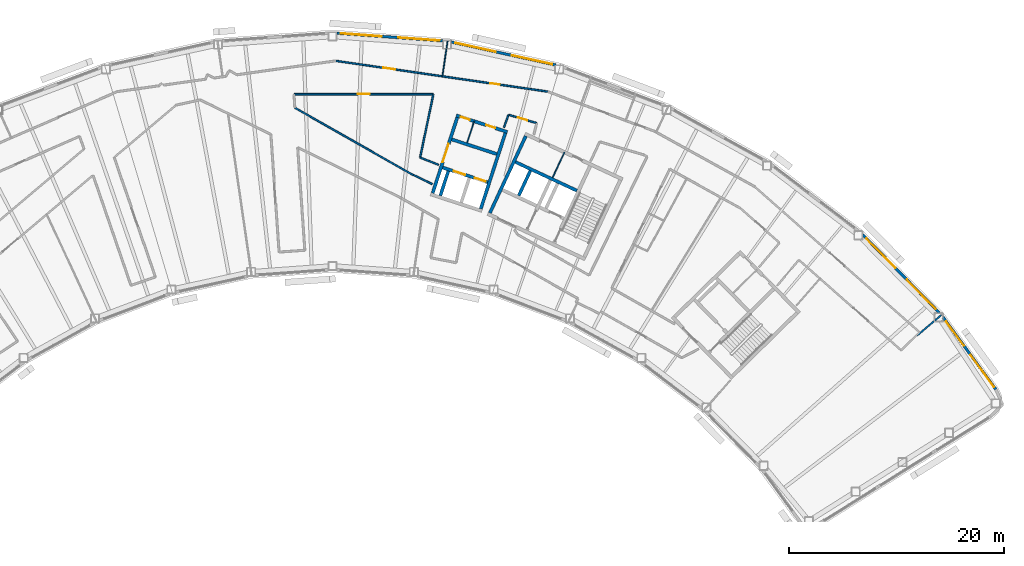
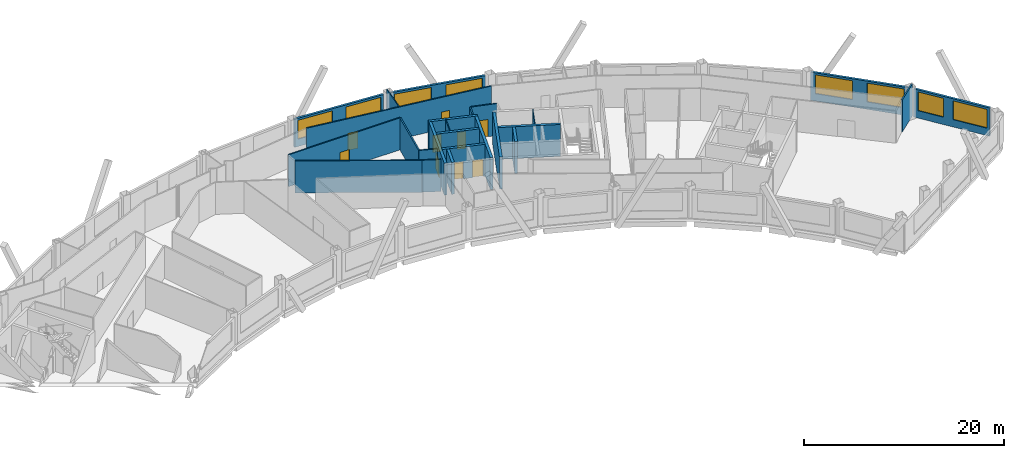
# One storey, part 10 of 14: 25 walls, 9 doors, 8 windows, 17 openings.
"""IFC4 building model written with IfcOpenShell, lengths in metres."""

from ifc_helpers import new_model, si_unit, direction, frame, frame_2d, origin, place, context, subcontext, project, spatial, rectangle, extrude, material, layer, layer_set, type_object, element, fill, save


model = new_model("IFC4")

# Units and contexts
model_context = context("Model", 3, precision=1e-05, world=origin(), true_north=direction((0.0, 1.0)))
body_context = subcontext(model_context, "Body", "Model", "MODEL_VIEW")
ifc_project = project(units=[si_unit("LENGTHUNIT", "METRE"), si_unit("AREAUNIT", "SQUARE_METRE"), si_unit("VOLUMEUNIT", "CUBIC_METRE"), si_unit("PLANEANGLEUNIT", "RADIAN"), si_unit("MASSUNIT", "GRAM", prefix="KILO")], contexts=[model_context])

# Site, building, storey
site_placement = place(None, origin())
site = spatial("IfcSite", under=ifc_project, at=site_placement, CompositionType="ELEMENT")
building_placement = place(site_placement, origin())
building = spatial("IfcBuilding", under=site, at=building_placement, Name="Tuul Gate Civic Tower", CompositionType="ELEMENT")
storey_placement = place(building_placement, frame((0.0, 0.0, 256.800048828125)))
storey = spatial("IfcBuildingStorey", under=building, at=storey_placement, Name="Level 58", CompositionType="ELEMENT", Elevation=256.800048828125)

# Walls
ifc_material_1 = material(Name="Concrete C50/60", Category="concrete")
ifc_layer_1 = layer(ifc_material_1, 0.300048828125)
ifc_layer_set_1 = layer_set([ifc_layer_1], Name="Concrete C50/60")
wall_type_1 = type_object("IfcWallType", Name="Core wall C50/60", PredefinedType="SHEAR", material=ifc_layer_set_1)
wall_1_placement = place(storey_placement, frame((33.75, -0.873779296875, 0.0), z_axis=(0.0, 0.0, 1.0), x_axis=(-0.906300917592, 0.422632992999, 0.0)))
element("IfcWall", 1, at=wall_1_placement, inside=storey, type_object=wall_type_1, Name="Core wall", PredefinedType="SHEAR", context=body_context, shape_type="SweptSolid", body=[
    extrude(rectangle(XDim=6.300048828125, YDim=0.300048828125, at=frame_2d((3.14990234375, 0.0))), origin(), (0.0, 0.0, 1.0), 3.89990234375),
])
wall_2_placement = place(storey_placement, frame((28.349365234375, -1.33447265625, 0.0), z_axis=(0.0, 0.0, 1.0), x_axis=(0.422612891016, 0.906310291427, 0.0)))
element("IfcWall", 2, at=wall_2_placement, inside=storey, type_object=wall_type_1, Name="Core wall", PredefinedType="SHEAR", context=body_context, shape_type="SweptSolid", body=[
    extrude(rectangle(XDim=2.550048828125, YDim=0.300048828125, at=frame_2d((1.27490234375, 0.0))), origin(), (0.0, 0.0, 1.0), 3.89990234375),
])
wall_3_placement = place(storey_placement, frame((25.66455078125, -2.951416015625, 0.0), z_axis=(0.0, 0.0, 1.0), x_axis=(0.422582604137, 0.906324413596, 0.0)))
element("IfcWall", 3, at=wall_3_placement, inside=storey, type_object=wall_type_1, Name="Core wall", PredefinedType="SHEAR", context=body_context, shape_type="SweptSolid", body=[
    extrude(rectangle(XDim=7.89990234375, YDim=0.300048828125, at=frame_2d((3.949951171875, 0.0))), origin(), (0.0, 0.0, 1.0), 3.89990234375),
])
ifc_material_2 = material(Name="Gypsum board partition")
ifc_layer_2 = layer(ifc_material_2, 0.14990234375)
ifc_layer_set_2 = layer_set([ifc_layer_2], Name="Gypsum board partition")
wall_type_2 = type_object("IfcWallType", Name="Corridor wall P150", PredefinedType="PARTITIONING", material=ifc_layer_set_2)
wall_4_placement = place(storey_placement, frame((65.37451171875, -14.36083984375, 0.0), z_axis=(0.0, 0.0, 1.0), x_axis=(0.762853274711, 0.646571636605, 0.0)))
element("IfcWall", 4, at=wall_4_placement, inside=storey, type_object=wall_type_2, Name="p004", PredefinedType="PARTITIONING", context=body_context, shape_type="SweptSolid", body=[
    extrude(rectangle(XDim=2.98974609375, YDim=0.14990234375, at=frame_2d((1.494873046875, 0.0))), origin(), (0.0, 0.0, 1.0), 3.89990234375),
])

# Wall, openings, doors
wall_5_placement = place(storey_placement, frame((11.341064453125, 11.19580078125, 0.0), z_axis=(0.0, 0.0, 1.0), x_axis=(0.989615961435, -0.143736734602, 0.0)))
wall_5 = element("IfcWall", 5, at=wall_5_placement, inside=storey, type_object=wall_type_2, Name="p014", PredefinedType="PARTITIONING", context=body_context, shape_type="SweptSolid", body=[
    extrude(rectangle(XDim=19.92529296875, YDim=0.14990234375, at=frame_2d((9.962646484375, 0.0))), origin(), (0.0, 0.0, 1.0), 3.89990234375),
])
opening_1_placement = place(wall_5_placement, frame((14.52001953125, 0.0, 0.0)))
opening_1 = element("IfcOpeningElement", 6, at=opening_1_placement, cuts=wall_5, Name="Opening V-D03", PredefinedType="OPENING", context=body_context, shape_type="SweptSolid", body=[
    extrude(rectangle(XDim=0.89990234375, YDim=2.10009765625, at=frame_2d((0.449951171875, 1.050048828125))), frame((0.0, 0.0849609375, 0.0), z_axis=(0.0, -1.0, 0.0), x_axis=(1.0, 0.0, 0.0)), (0.0, 0.0, 1.0), 0.169921875),
])
opening_2_placement = place(wall_5_placement, frame((4.457275390625, 0.0, 0.0)))
opening_2 = element("IfcOpeningElement", 7, at=opening_2_placement, cuts=wall_5, Name="Opening V-D04", PredefinedType="OPENING", context=body_context, shape_type="SweptSolid", body=[
    extrude(rectangle(XDim=1.10009765625, YDim=2.10009765625, at=frame_2d((0.550048828125, 1.050048828125))), frame((0.0, 0.0849609375, 0.0), z_axis=(0.0, -1.0, 0.0), x_axis=(1.0, 0.0, 0.0)), (0.0, 0.0, 1.0), 0.169921875),
])
ifc_material_3 = material(Name="Timber door leaf", Category="wood")
door_type_1 = type_object("IfcDoorType", Name="Door D09", OperationType="NOTDEFINED", PredefinedType="DOOR", material=ifc_material_3)
door_1_placement = place(opening_1_placement, origin())
door_1 = element("IfcDoor", 8, at=door_1_placement, inside=storey, type_object=door_type_1, Name="Door V-D03", OperationType="SINGLE_SWING_RIGHT", OverallHeight=2.10009765625, OverallWidth=0.89990234375, PredefinedType="DOOR", context=body_context, shape_type="SweptSolid", body=[
    extrude(rectangle(XDim=0.89990234375, YDim=2.10009765625, at=frame_2d((0.449951171875, 1.050048828125))), frame((0.0, 0.02490234375, 0.0), z_axis=(0.0, -1.0, 0.0), x_axis=(1.0, 0.0, 0.0)), (0.0, 0.0, 1.0), 0.050048828125),
])
fill(opening_1, door_1)
ifc_material_4 = material(Name="Timber door leaf", Category="wood")
door_type_2 = type_object("IfcDoorType", Name="Door D11", OperationType="NOTDEFINED", PredefinedType="DOOR", material=ifc_material_4)
door_2_placement = place(opening_2_placement, origin())
door_2 = element("IfcDoor", 9, at=door_2_placement, inside=storey, type_object=door_type_2, Name="Door V-D04", OperationType="SINGLE_SWING_RIGHT", OverallHeight=2.10009765625, OverallWidth=1.10009765625, PredefinedType="DOOR", context=body_context, shape_type="SweptSolid", body=[
    extrude(rectangle(XDim=1.10009765625, YDim=2.10009765625, at=frame_2d((0.550048828125, 1.050048828125))), frame((0.0, 0.02490234375, 0.0), z_axis=(0.0, -1.0, 0.0), x_axis=(1.0, 0.0, 0.0)), (0.0, 0.0, 1.0), 0.050048828125),
])
fill(opening_2, door_2)

# Walls
wall_6_placement = place(storey_placement, frame((7.5400390625, 6.827880859375, 0.0), z_axis=(0.0, 0.0, 1.0), x_axis=(0.869039882895, -0.494742035749, 0.0)))
element("IfcWall", 10, at=wall_6_placement, inside=storey, type_object=wall_type_2, Name="p022", PredefinedType="PARTITIONING", context=body_context, shape_type="SweptSolid", body=[
    extrude(rectangle(XDim=12.6728515625, YDim=0.14990234375, at=frame_2d((6.33642578125, 0.0))), origin(), (0.0, 0.0, 1.0), 3.89990234375),
])
wall_7_placement = place(storey_placement, frame((18.566162109375, 0.58154296875, 0.0), z_axis=(0.0, 0.0, 1.0), x_axis=(0.899119721773, -0.437702782625, 0.0)))
element("IfcWall", 11, at=wall_7_placement, inside=storey, type_object=wall_type_2, Name="p029", PredefinedType="PARTITIONING", context=body_context, shape_type="SweptSolid", body=[
    extrude(rectangle(XDim=1.935546875, YDim=0.14990234375, at=frame_2d((0.9677734375, 0.0))), origin(), (0.0, 0.0, 1.0), 3.89990234375),
])
wall_8_placement = place(storey_placement, frame((26.982421875, 4.993896484375, 0.0), z_axis=(0.0, 0.0, 1.0), x_axis=(0.321299495515, 0.9469776313, 0.0)))
element("IfcWall", 12, at=wall_8_placement, inside=storey, type_object=wall_type_2, Name="p082", PredefinedType="PARTITIONING", context=body_context, shape_type="SweptSolid", body=[
    extrude(rectangle(XDim=1.24072265625, YDim=0.14990234375, at=frame_2d((0.620361328125, 0.0))), origin(), (0.0, 0.0, 1.0), 3.89990234375),
])

# Wall, opening, door
wall_9_placement = place(storey_placement, frame((27.40576171875, 6.181640625, 0.0), z_axis=(0.0, 0.0, 1.0), x_axis=(0.958790837754, -0.284112881508, 0.0)))
wall_9 = element("IfcWall", 13, at=wall_9_placement, inside=storey, type_object=wall_type_2, Name="p083", PredefinedType="PARTITIONING", context=body_context, shape_type="SweptSolid", body=[
    extrude(rectangle(XDim=2.70849609375, YDim=0.14990234375, at=frame_2d((1.354248046875, 0.0))), origin(), (0.0, 0.0, 1.0), 3.89990234375),
])
opening_3_placement = place(wall_9_placement, frame((0.904296875, 0.0, 0.0)))
opening_3 = element("IfcOpeningElement", 14, at=opening_3_placement, cuts=wall_9, Name="Opening V-D16", PredefinedType="OPENING", context=body_context, shape_type="SweptSolid", body=[
    extrude(rectangle(XDim=0.89990234375, YDim=2.10009765625, at=frame_2d((0.449951171875, 1.050048828125))), frame((0.0, 0.0849609375, 0.0), z_axis=(0.0, -1.0, 0.0), x_axis=(1.0, 0.0, 0.0)), (0.0, 0.0, 1.0), 0.169921875),
])
door_3_placement = place(opening_3_placement, frame((0.89990234375, 0.0, 0.0), z_axis=(0.0, 0.0, 1.0), x_axis=(-1.0, 0.0, 0.0)))
door_3 = element("IfcDoor", 15, at=door_3_placement, inside=storey, type_object=door_type_1, Name="Door V-D16", OperationType="SINGLE_SWING_LEFT", OverallHeight=2.10009765625, OverallWidth=0.89990234375, PredefinedType="DOOR", context=body_context, shape_type="SweptSolid", body=[
    extrude(rectangle(XDim=0.89990234375, YDim=2.10009765625, at=frame_2d((0.449951171875, 1.050048828125))), frame((0.0, 0.02490234375, 0.0), z_axis=(0.0, -1.0, 0.0), x_axis=(1.0, 0.0, 0.0)), (0.0, 0.0, 1.0), 0.050048828125),
])
fill(opening_3, door_3)

wall_10_placement = place(storey_placement, frame((7.464111328125, 8.092529296875, 0.0), z_axis=(0.0, 0.0, 1.0), x_axis=(0.999999999286, 3.7795752e-05, 0.0)))
wall_10 = element("IfcWall", 16, at=wall_10_placement, inside=storey, type_object=wall_type_2, Name="p095", PredefinedType="PARTITIONING", context=body_context, shape_type="SweptSolid", body=[
    extrude(rectangle(XDim=12.9189453125, YDim=0.14990234375, at=frame_2d((6.45947265625, 0.0))), origin(), (0.0, 0.0, 1.0), 3.89990234375),
])
opening_4_placement = place(wall_10_placement, frame((5.909423828125, 0.0, 0.0)))
opening_4 = element("IfcOpeningElement", 17, at=opening_4_placement, cuts=wall_10, Name="Opening V-D21", PredefinedType="OPENING", context=body_context, shape_type="SweptSolid", body=[
    extrude(rectangle(XDim=1.10009765625, YDim=2.10009765625, at=frame_2d((0.550048828125, 1.050048828125))), frame((0.0, 0.0849609375, 0.0), z_axis=(0.0, -1.0, 0.0), x_axis=(1.0, 0.0, 0.0)), (0.0, 0.0, 1.0), 0.169921875),
])
door_4_placement = place(opening_4_placement, frame((1.10009765625, 0.0, 0.0), z_axis=(0.0, 0.0, 1.0), x_axis=(-1.0, 0.0, 0.0)))
door_4 = element("IfcDoor", 18, at=door_4_placement, inside=storey, type_object=door_type_2, Name="Door V-D21", OperationType="SINGLE_SWING_LEFT", OverallHeight=2.10009765625, OverallWidth=1.10009765625, PredefinedType="DOOR", context=body_context, shape_type="SweptSolid", body=[
    extrude(rectangle(XDim=1.10009765625, YDim=2.10009765625, at=frame_2d((0.550048828125, 1.050048828125))), frame((0.0, 0.02490234375, 0.0), z_axis=(0.0, -1.0, 0.0), x_axis=(1.0, 0.0, 0.0)), (0.0, 0.0, 1.0), 0.050048828125),
])
fill(opening_4, door_4)

# Walls
wall_11_placement = place(storey_placement, frame((19.179443359375, 2.2119140625, 0.0), z_axis=(0.0, 0.0, 1.0), x_axis=(0.204426766244, 0.978881860718, 0.0)))
element("IfcWall", 19, at=wall_11_placement, inside=storey, type_object=wall_type_2, Name="p096", PredefinedType="PARTITIONING", context=body_context, shape_type="SweptSolid", body=[
    extrude(rectangle(XDim=5.9833984375, YDim=0.14990234375, at=frame_2d((2.99169921875, 0.0))), origin(), (0.0, 0.0, 1.0), 3.89990234375),
])
wall_12_placement = place(storey_placement, frame((19.179931640625, 2.211181640625, 0.0), z_axis=(0.0, 0.0, 1.0), x_axis=(0.928632455331, -0.371001028175, 0.0)))
element("IfcWall", 20, at=wall_12_placement, inside=storey, type_object=wall_type_2, Name="p097", PredefinedType="PARTITIONING", context=body_context, shape_type="SweptSolid", body=[
    extrude(rectangle(XDim=1.836669921875, YDim=0.14990234375, at=frame_2d((0.91845703125, 0.0))), origin(), (0.0, 0.0, 1.0), 3.89990234375),
])

# Wall, openings, windows
ifc_material_5 = material(Name="Precast concrete C40/50", Category="concrete")
ifc_layer_3 = layer(ifc_material_5, 0.25)
ifc_layer_set_3 = layer_set([ifc_layer_3], Name="Precast concrete C40/50")
wall_type_3 = type_object("IfcWallType", Name="External wall", PredefinedType="STANDARD", material=ifc_layer_set_3)
wall_13_placement = place(storey_placement, frame((72.719970703125, -19.37060546875, 0.0), z_axis=(0.0, 0.0, 1.0), x_axis=(-0.589821256366, 0.807533829346, 0.0)))
wall_13 = element("IfcWall", 21, at=wall_13_placement, inside=storey, type_object=wall_type_3, Name="External wall", PredefinedType="STANDARD", context=body_context, shape_type="SweptSolid", body=[
    extrude(rectangle(XDim=8.33642578125, YDim=0.25, at=frame_2d((4.168212890625, 0.0))), origin(), (0.0, 0.0, 1.0), 3.449951171875),
])
opening_5_placement = place(wall_13_placement, frame((0.30078125, 0.0, 0.89990234375)))
opening_5 = element("IfcOpeningElement", 22, at=opening_5_placement, cuts=wall_13, Name="Opening W21", PredefinedType="OPENING", context=body_context, shape_type="SweptSolid", body=[
    extrude(rectangle(XDim=3.699951171875, YDim=2.300048828125, at=frame_2d((1.85009765625, 1.14990234375))), frame((0.0, 0.135009765625, 0.0), z_axis=(0.0, -1.0, 0.0), x_axis=(1.0, 0.0, 0.0)), (0.0, 0.0, 1.0), 0.27001953125),
])
opening_6_placement = place(wall_13_placement, frame((5.052001953125, 0.0, 0.89990234375)))
opening_6 = element("IfcOpeningElement", 23, at=opening_6_placement, cuts=wall_13, Name="Opening W23", PredefinedType="OPENING", context=body_context, shape_type="SweptSolid", body=[
    extrude(rectangle(XDim=2.800048828125, YDim=2.300048828125, at=frame_2d((1.39990234375, 1.14990234375))), frame((0.0, 0.135009765625, 0.0), z_axis=(0.0, -1.0, 0.0), x_axis=(1.0, 0.0, 0.0)), (0.0, 0.0, 1.0), 0.27001953125),
])
ifc_material_6 = material(Name="Glass", Category="glass")
window_type_1 = type_object("IfcWindowType", Name="Window W21 3700 x 2300", PartitioningType="SINGLE_PANEL", PredefinedType="WINDOW", material=ifc_material_6)
window_1_placement = place(opening_5_placement, origin())
window_1 = element("IfcWindow", 24, at=window_1_placement, inside=storey, type_object=window_type_1, Name="Window", OverallHeight=2.300048828125, OverallWidth=3.699951171875, PartitioningType="SINGLE_PANEL", PredefinedType="WINDOW", context=body_context, shape_type="SweptSolid", body=[
    extrude(rectangle(XDim=3.699951171875, YDim=2.300048828125, at=frame_2d((1.85009765625, 1.14990234375))), frame((0.0, 0.030029296875, 0.0), z_axis=(0.0, -1.0, 0.0), x_axis=(1.0, 0.0, 0.0)), (0.0, 0.0, 1.0), 0.06005859375),
])
fill(opening_5, window_1)
ifc_material_7 = material(Name="Glass", Category="glass")
window_type_2 = type_object("IfcWindowType", Name="Window W23 2800 x 2300", PartitioningType="SINGLE_PANEL", PredefinedType="WINDOW", material=ifc_material_7)
window_2_placement = place(opening_6_placement, origin())
window_2 = element("IfcWindow", 25, at=window_2_placement, inside=storey, type_object=window_type_2, Name="Window", OverallHeight=2.300048828125, OverallWidth=2.800048828125, PartitioningType="SINGLE_PANEL", PredefinedType="WINDOW", context=body_context, shape_type="SweptSolid", body=[
    extrude(rectangle(XDim=2.800048828125, YDim=2.300048828125, at=frame_2d((1.39990234375, 1.14990234375))), frame((0.0, 0.030029296875, 0.0), z_axis=(0.0, -1.0, 0.0), x_axis=(1.0, 0.0, 0.0)), (0.0, 0.0, 1.0), 0.06005859375),
])
fill(opening_6, window_2)

wall_14_placement = place(storey_placement, frame((67.466064453125, -12.241943359375, 0.0), z_axis=(0.0, 0.0, 1.0), x_axis=(-0.700008693155, 0.714134321754, 0.0)))
wall_14 = element("IfcWall", 26, at=wall_14_placement, inside=storey, type_object=wall_type_3, Name="External wall", PredefinedType="STANDARD", context=body_context, shape_type="SweptSolid", body=[
    extrude(rectangle(XDim=10.197265625, YDim=0.25, at=frame_2d((5.0986328125, 0.0))), origin(), (0.0, 0.0, 1.0), 3.449951171875),
])
opening_7_placement = place(wall_14_placement, frame((0.487060546875, 0.0, 0.89990234375)))
opening_7 = element("IfcOpeningElement", 27, at=opening_7_placement, cuts=wall_14, Name="Opening W22", PredefinedType="OPENING", context=body_context, shape_type="SweptSolid", body=[
    extrude(rectangle(XDim=3.85009765625, YDim=2.300048828125, at=frame_2d((1.925048828125, 1.14990234375))), frame((0.0, 0.135009765625, 0.0), z_axis=(0.0, -1.0, 0.0), x_axis=(1.0, 0.0, 0.0)), (0.0, 0.0, 1.0), 0.27001953125),
])
opening_8_placement = place(wall_14_placement, frame((5.8583984375, 0.0, 0.89990234375)))
opening_8 = element("IfcOpeningElement", 28, at=opening_8_placement, cuts=wall_14, Name="Opening W22", PredefinedType="OPENING", context=body_context, shape_type="SweptSolid", body=[
    extrude(rectangle(XDim=3.85009765625, YDim=2.300048828125, at=frame_2d((1.925048828125, 1.14990234375))), frame((0.0, 0.135009765625, 0.0), z_axis=(0.0, -1.0, 0.0), x_axis=(1.0, 0.0, 0.0)), (0.0, 0.0, 1.0), 0.27001953125),
])
ifc_material_8 = material(Name="Glass", Category="glass")
window_type_3 = type_object("IfcWindowType", Name="Window W22 3850 x 2300", PartitioningType="SINGLE_PANEL", PredefinedType="WINDOW", material=ifc_material_8)
window_3_placement = place(opening_7_placement, origin())
window_3 = element("IfcWindow", 29, at=window_3_placement, inside=storey, type_object=window_type_3, Name="Window", OverallHeight=2.300048828125, OverallWidth=3.85009765625, PartitioningType="SINGLE_PANEL", PredefinedType="WINDOW", context=body_context, shape_type="SweptSolid", body=[
    extrude(rectangle(XDim=3.85009765625, YDim=2.300048828125, at=frame_2d((1.925048828125, 1.14990234375))), frame((0.0, 0.030029296875, 0.0), z_axis=(0.0, -1.0, 0.0), x_axis=(1.0, 0.0, 0.0)), (0.0, 0.0, 1.0), 0.06005859375),
])
fill(opening_7, window_3)
window_4_placement = place(opening_8_placement, origin())
window_4 = element("IfcWindow", 30, at=window_4_placement, inside=storey, type_object=window_type_3, Name="Window", OverallHeight=2.300048828125, OverallWidth=3.85009765625, PartitioningType="SINGLE_PANEL", PredefinedType="WINDOW", context=body_context, shape_type="SweptSolid", body=[
    extrude(rectangle(XDim=3.85009765625, YDim=2.300048828125, at=frame_2d((1.925048828125, 1.14990234375))), frame((0.0, 0.030029296875, 0.0), z_axis=(0.0, -1.0, 0.0), x_axis=(1.0, 0.0, 0.0)), (0.0, 0.0, 1.0), 0.06005859375),
])
fill(opening_8, window_4)

wall_15_placement = place(storey_placement, frame((31.80029296875, 10.804931640625, 0.0), z_axis=(0.0, 0.0, 1.0), x_axis=(-0.976562454365, 0.215234227585, 0.0)))
wall_15 = element("IfcWall", 31, at=wall_15_placement, inside=storey, type_object=wall_type_3, Name="External wall", PredefinedType="STANDARD", context=body_context, shape_type="SweptSolid", body=[
    extrude(rectangle(XDim=9.95361328125, YDim=0.25, at=frame_2d((4.976806640625, 0.0))), origin(), (0.0, 0.0, 1.0), 3.449951171875),
])
opening_9_placement = place(wall_15_placement, frame((0.34228515625, 0.0, 0.89990234375)))
opening_9 = element("IfcOpeningElement", 32, at=opening_9_placement, cuts=wall_15, Name="Opening W22", PredefinedType="OPENING", context=body_context, shape_type="SweptSolid", body=[
    extrude(rectangle(XDim=3.85009765625, YDim=2.300048828125, at=frame_2d((1.925048828125, 1.14990234375))), frame((0.0, 0.135009765625, 0.0), z_axis=(0.0, -1.0, 0.0), x_axis=(1.0, 0.0, 0.0)), (0.0, 0.0, 1.0), 0.27001953125),
])
opening_10_placement = place(wall_15_placement, frame((5.713623046875, 0.0, 0.89990234375)))
opening_10 = element("IfcOpeningElement", 33, at=opening_10_placement, cuts=wall_15, Name="Opening W22", PredefinedType="OPENING", context=body_context, shape_type="SweptSolid", body=[
    extrude(rectangle(XDim=3.85009765625, YDim=2.300048828125, at=frame_2d((1.925048828125, 1.14990234375))), frame((0.0, 0.135009765625, 0.0), z_axis=(0.0, -1.0, 0.0), x_axis=(1.0, 0.0, 0.0)), (0.0, 0.0, 1.0), 0.27001953125),
])
window_5_placement = place(opening_9_placement, origin())
window_5 = element("IfcWindow", 34, at=window_5_placement, inside=storey, type_object=window_type_3, Name="Window", OverallHeight=2.300048828125, OverallWidth=3.85009765625, PartitioningType="SINGLE_PANEL", PredefinedType="WINDOW", context=body_context, shape_type="SweptSolid", body=[
    extrude(rectangle(XDim=3.85009765625, YDim=2.300048828125, at=frame_2d((1.925048828125, 1.14990234375))), frame((0.0, 0.030029296875, 0.0), z_axis=(0.0, -1.0, 0.0), x_axis=(1.0, 0.0, 0.0)), (0.0, 0.0, 1.0), 0.06005859375),
])
fill(opening_9, window_5)
window_6_placement = place(opening_10_placement, origin())
window_6 = element("IfcWindow", 35, at=window_6_placement, inside=storey, type_object=window_type_3, Name="Window", OverallHeight=2.300048828125, OverallWidth=3.85009765625, PartitioningType="SINGLE_PANEL", PredefinedType="WINDOW", context=body_context, shape_type="SweptSolid", body=[
    extrude(rectangle(XDim=3.85009765625, YDim=2.300048828125, at=frame_2d((1.925048828125, 1.14990234375))), frame((0.0, 0.030029296875, 0.0), z_axis=(0.0, -1.0, 0.0), x_axis=(1.0, 0.0, 0.0)), (0.0, 0.0, 1.0), 0.06005859375),
])
fill(opening_10, window_6)

wall_16_placement = place(storey_placement, frame((21.280029296875, 13.057373046875, 0.0), z_axis=(0.0, 0.0, 1.0), x_axis=(-0.99738717169, 0.072241468338, 0.0)))
wall_16 = element("IfcWall", 36, at=wall_16_placement, inside=storey, type_object=wall_type_3, Name="External wall", PredefinedType="STANDARD", context=body_context, shape_type="SweptSolid", body=[
    extrude(rectangle(XDim=9.875, YDim=0.25, at=frame_2d((4.9375, 0.0))), origin(), (0.0, 0.0, 1.0), 3.449951171875),
])
opening_11_placement = place(wall_16_placement, frame((0.303466796875, 0.0, 0.89990234375)))
opening_11 = element("IfcOpeningElement", 37, at=opening_11_placement, cuts=wall_16, Name="Opening W22", PredefinedType="OPENING", context=body_context, shape_type="SweptSolid", body=[
    extrude(rectangle(XDim=3.85009765625, YDim=2.300048828125, at=frame_2d((1.925048828125, 1.14990234375))), frame((0.0, 0.135009765625, 0.0), z_axis=(0.0, -1.0, 0.0), x_axis=(1.0, 0.0, 0.0)), (0.0, 0.0, 1.0), 0.27001953125),
])
opening_12_placement = place(wall_16_placement, frame((5.67431640625, 0.0, 0.89990234375)))
opening_12 = element("IfcOpeningElement", 38, at=opening_12_placement, cuts=wall_16, Name="Opening W22", PredefinedType="OPENING", context=body_context, shape_type="SweptSolid", body=[
    extrude(rectangle(XDim=3.85009765625, YDim=2.300048828125, at=frame_2d((1.925048828125, 1.14990234375))), frame((0.0, 0.135009765625, 0.0), z_axis=(0.0, -1.0, 0.0), x_axis=(1.0, 0.0, 0.0)), (0.0, 0.0, 1.0), 0.27001953125),
])
window_7_placement = place(opening_11_placement, origin())
window_7 = element("IfcWindow", 39, at=window_7_placement, inside=storey, type_object=window_type_3, Name="Window", OverallHeight=2.300048828125, OverallWidth=3.85009765625, PartitioningType="SINGLE_PANEL", PredefinedType="WINDOW", context=body_context, shape_type="SweptSolid", body=[
    extrude(rectangle(XDim=3.85009765625, YDim=2.300048828125, at=frame_2d((1.925048828125, 1.14990234375))), frame((0.0, 0.030029296875, 0.0), z_axis=(0.0, -1.0, 0.0), x_axis=(1.0, 0.0, 0.0)), (0.0, 0.0, 1.0), 0.06005859375),
])
fill(opening_11, window_7)
window_8_placement = place(opening_12_placement, origin())
window_8 = element("IfcWindow", 40, at=window_8_placement, inside=storey, type_object=window_type_3, Name="Window", OverallHeight=2.300048828125, OverallWidth=3.85009765625, PartitioningType="SINGLE_PANEL", PredefinedType="WINDOW", context=body_context, shape_type="SweptSolid", body=[
    extrude(rectangle(XDim=3.85009765625, YDim=2.300048828125, at=frame_2d((1.925048828125, 1.14990234375))), frame((0.0, 0.030029296875, 0.0), z_axis=(0.0, -1.0, 0.0), x_axis=(1.0, 0.0, 0.0)), (0.0, 0.0, 1.0), 0.06005859375),
])
fill(opening_12, window_8)

# Wall, openings, doors
ifc_material_9 = material(Name="Concrete C40/50", Category="concrete")
ifc_layer_4 = layer(ifc_material_9, 0.300048828125)
ifc_layer_set_4 = layer_set([ifc_layer_4], Name="Concrete C40/50")
wall_type_4 = type_object("IfcWallType", Name="Lift shaft wall C40/50", PredefinedType="STANDARD", material=ifc_layer_set_4)
wall_17_placement = place(storey_placement, frame((25.460693359375, -0.0859375, 0.0), z_axis=(0.0, 0.0, 1.0), x_axis=(-0.951063829732, 0.308994485023, 0.0)))
wall_17 = element("IfcWall", 41, at=wall_17_placement, inside=storey, type_object=wall_type_4, Name="Shaft wall", PredefinedType="STANDARD", context=body_context, shape_type="SweptSolid", body=[
    extrude(rectangle(XDim=4.400146484375, YDim=0.300048828125, at=frame_2d((2.2001953125, 0.0))), origin(), (0.0, 0.0, 1.0), 3.89990234375),
])
opening_13_placement = place(wall_17_placement, frame((0.175048828125, 0.0, 0.0)))
opening_13 = element("IfcOpeningElement", 42, at=opening_13_placement, cuts=wall_17, Name="Opening LD-H2", PredefinedType="OPENING", context=body_context, shape_type="SweptSolid", body=[
    extrude(rectangle(XDim=1.10009765625, YDim=2.10009765625, at=frame_2d((0.550048828125, 1.050048828125))), frame((0.0, 0.16015625, 0.0), z_axis=(0.0, -1.0, 0.0), x_axis=(1.0, 0.0, 0.0)), (0.0, 0.0, 1.0), 0.320068359375),
])
opening_14_placement = place(wall_17_placement, frame((2.22509765625, 0.0, 0.0)))
opening_14 = element("IfcOpeningElement", 43, at=opening_14_placement, cuts=wall_17, Name="Opening LD-H3", PredefinedType="OPENING", context=body_context, shape_type="SweptSolid", body=[
    extrude(rectangle(XDim=1.10009765625, YDim=2.10009765625, at=frame_2d((0.550048828125, 1.050048828125))), frame((0.0, 0.16015625, 0.0), z_axis=(0.0, -1.0, 0.0), x_axis=(1.0, 0.0, 0.0)), (0.0, 0.0, 1.0), 0.320068359375),
])
ifc_material_10 = material(Name="Stainless steel", Category="steel")
door_type_3 = type_object("IfcDoorType", Name="Landing door", OperationType="DOUBLE_DOOR_SLIDING", PredefinedType="DOOR", material=ifc_material_10)
door_5_placement = place(opening_13_placement, origin())
door_5 = element("IfcDoor", 44, at=door_5_placement, inside=storey, type_object=door_type_3, Name="High-rise lift H2 landing door", OperationType="DOUBLE_DOOR_SLIDING", OverallHeight=2.10009765625, OverallWidth=1.10009765625, PredefinedType="DOOR", context=body_context, shape_type="SweptSolid", body=[
    extrude(rectangle(XDim=1.10009765625, YDim=2.10009765625, at=frame_2d((0.550048828125, 1.050048828125))), frame((0.0, 0.02490234375, 0.0), z_axis=(0.0, -1.0, 0.0), x_axis=(1.0, 0.0, 0.0)), (0.0, 0.0, 1.0), 0.050048828125),
])
fill(opening_13, door_5)
door_6_placement = place(opening_14_placement, origin())
door_6 = element("IfcDoor", 45, at=door_6_placement, inside=storey, type_object=door_type_3, Name="High-rise lift H3 landing door", OperationType="DOUBLE_DOOR_SLIDING", OverallHeight=2.10009765625, OverallWidth=1.10009765625, PredefinedType="DOOR", context=body_context, shape_type="SweptSolid", body=[
    extrude(rectangle(XDim=1.10009765625, YDim=2.10009765625, at=frame_2d((0.550048828125, 1.050048828125))), frame((0.0, 0.02490234375, 0.0), z_axis=(0.0, -1.0, 0.0), x_axis=(1.0, 0.0, 0.0)), (0.0, 0.0, 1.0), 0.050048828125),
])
fill(opening_14, door_6)

# Wall
wall_18_placement = place(storey_placement, frame((26.310546875, 2.529541015625, 0.0), z_axis=(0.0, 0.0, 1.0), x_axis=(-0.951058531764, 0.30901079133, 0.0)))
element("IfcWall", 46, at=wall_18_placement, inside=storey, type_object=wall_type_4, Name="Shaft wall", PredefinedType="STANDARD", context=body_context, shape_type="SweptSolid", body=[
    extrude(rectangle(XDim=4.39990234375, YDim=0.300048828125, at=frame_2d((2.199951171875, 0.0))), origin(), (0.0, 0.0, 1.0), 3.89990234375),
])

# Wall, openings, doors
wall_19_placement = place(storey_placement, frame((27.29150390625, 4.57666015625, 0.0), z_axis=(0.0, 0.0, 1.0), x_axis=(-0.951067792613, 0.308982287281, 0.0)))
wall_19 = element("IfcWall", 47, at=wall_19_placement, inside=storey, type_object=wall_type_4, Name="Shaft wall", PredefinedType="STANDARD", context=body_context, shape_type="SweptSolid", body=[
    extrude(rectangle(XDim=5.0, YDim=0.300048828125, at=frame_2d((2.5, 0.0))), origin(), (0.0, 0.0, 1.0), 3.89990234375),
])
opening_15_placement = place(wall_19_placement, frame((1.175048828125, 0.0, 0.0)))
opening_15 = element("IfcOpeningElement", 48, at=opening_15_placement, cuts=wall_19, Name="Opening V-D32", PredefinedType="OPENING", context=body_context, shape_type="SweptSolid", body=[
    extrude(rectangle(XDim=0.89990234375, YDim=2.10009765625, at=frame_2d((0.449951171875, 1.050048828125))), frame((0.0, 0.16015625, 0.0), z_axis=(0.0, -1.0, 0.0), x_axis=(1.0, 0.0, 0.0)), (0.0, 0.0, 1.0), 0.320068359375),
])
opening_16_placement = place(wall_19_placement, frame((3.675048828125, 0.0, 0.0)))
opening_16 = element("IfcOpeningElement", 49, at=opening_16_placement, cuts=wall_19, Name="Opening V-D33", PredefinedType="OPENING", context=body_context, shape_type="SweptSolid", body=[
    extrude(rectangle(XDim=0.89990234375, YDim=2.10009765625, at=frame_2d((0.449951171875, 1.050048828125))), frame((0.0, 0.16015625, 0.0), z_axis=(0.0, -1.0, 0.0), x_axis=(1.0, 0.0, 0.0)), (0.0, 0.0, 1.0), 0.320068359375),
])
door_7_placement = place(opening_15_placement, origin())
door_7 = element("IfcDoor", 50, at=door_7_placement, inside=storey, type_object=door_type_1, Name="Door V-D32", OperationType="SINGLE_SWING_LEFT", OverallHeight=2.10009765625, OverallWidth=0.89990234375, PredefinedType="DOOR", context=body_context, shape_type="SweptSolid", body=[
    extrude(rectangle(XDim=0.89990234375, YDim=2.10009765625, at=frame_2d((0.449951171875, 1.050048828125))), frame((0.0, 0.02490234375, 0.0), z_axis=(0.0, -1.0, 0.0), x_axis=(1.0, 0.0, 0.0)), (0.0, 0.0, 1.0), 0.050048828125),
])
fill(opening_15, door_7)
door_8_placement = place(opening_16_placement, origin())
door_8 = element("IfcDoor", 51, at=door_8_placement, inside=storey, type_object=door_type_1, Name="Door V-D33", OperationType="SINGLE_SWING_RIGHT", OverallHeight=2.10009765625, OverallWidth=0.89990234375, PredefinedType="DOOR", context=body_context, shape_type="SweptSolid", body=[
    extrude(rectangle(XDim=0.89990234375, YDim=2.10009765625, at=frame_2d((0.449951171875, 1.050048828125))), frame((0.0, 0.02490234375, 0.0), z_axis=(0.0, -1.0, 0.0), x_axis=(1.0, 0.0, 0.0)), (0.0, 0.0, 1.0), 0.050048828125),
])
fill(opening_16, door_8)

# Walls
wall_20_placement = place(storey_placement, frame((24.815185546875, -2.557373046875, 0.0), z_axis=(0.0, 0.0, 1.0), x_axis=(0.30907264409, 0.951038432807, 0.0)))
element("IfcWall", 52, at=wall_20_placement, inside=storey, type_object=wall_type_4, Name="Shaft wall", PredefinedType="STANDARD", context=body_context, shape_type="SweptSolid", body=[
    extrude(rectangle(XDim=7.39990234375, YDim=0.300048828125, at=frame_2d((3.699951171875, 0.0))), origin(), (0.0, 0.0, 1.0), 3.89990234375),
])
wall_21_placement = place(storey_placement, frame((21.058349609375, -1.336669921875, 0.0), z_axis=(0.0, 0.0, 1.0), x_axis=(0.309138975195, 0.951016873675, 0.0)))
element("IfcWall", 53, at=wall_21_placement, inside=storey, type_object=wall_type_4, Name="Shaft wall", PredefinedType="STANDARD", context=body_context, shape_type="SweptSolid", body=[
    extrude(rectangle(XDim=2.400146484375, YDim=0.300048828125, at=frame_2d((1.2001953125, 0.0))), origin(), (0.0, 0.0, 1.0), 3.89990234375),
])

# Wall, opening, door
wall_22_placement = place(storey_placement, frame((20.34521484375, -1.10498046875, 0.0), z_axis=(0.0, 0.0, 1.0), x_axis=(0.30907264409, 0.951038432807, 0.0)))
wall_22 = element("IfcWall", 54, at=wall_22_placement, inside=storey, type_object=wall_type_4, Name="Shaft wall", PredefinedType="STANDARD", context=body_context, shape_type="SweptSolid", body=[
    extrude(rectangle(XDim=7.39990234375, YDim=0.300048828125, at=frame_2d((3.699951171875, 0.0))), origin(), (0.0, 0.0, 1.0), 3.89990234375),
])
opening_17_placement = place(wall_22_placement, frame((3.02490234375, 0.0, 0.0)))
opening_17 = element("IfcOpeningElement", 55, at=opening_17_placement, cuts=wall_22, Name="Opening LB-E4-LOBBY-1", PredefinedType="OPENING", context=body_context, shape_type="SweptSolid", body=[
    extrude(rectangle(XDim=1.800048828125, YDim=2.10009765625, at=frame_2d((0.89990234375, 1.050048828125))), frame((0.0, 0.16015625, 0.0), z_axis=(0.0, -1.0, 0.0), x_axis=(1.0, 0.0, 0.0)), (0.0, 0.0, 1.0), 0.320068359375),
])
ifc_material_11 = material(Name="Steel", Category="steel")
door_type_4 = type_object("IfcDoorType", Name="Lobby door", OperationType="DOUBLE_DOOR_SINGLE_SWING", PredefinedType="DOOR", material=ifc_material_11)
door_9_placement = place(opening_17_placement, frame((1.800048828125, 0.0, 0.0), z_axis=(0.0, 0.0, 1.0), x_axis=(-1.0, 0.0, 0.0)))
door_9 = element("IfcDoor", 56, at=door_9_placement, inside=storey, type_object=door_type_4, Name="Lobby door E4-LOBBY", OperationType="DOUBLE_DOOR_SINGLE_SWING", OverallHeight=2.10009765625, OverallWidth=1.800048828125, PredefinedType="DOOR", context=body_context, shape_type="SweptSolid", body=[
    extrude(rectangle(XDim=1.800048828125, YDim=2.10009765625, at=frame_2d((0.900146484375, 1.050048828125))), frame((0.0, 0.02490234375, 0.0), z_axis=(0.0, -1.0, 0.0), x_axis=(1.0, 0.0, 0.0)), (0.0, 0.0, 1.0), 0.050048828125),
])
fill(opening_17, door_9)

# Walls
ifc_material_12 = material(Name="Gypsum board partition")
ifc_layer_5 = layer(ifc_material_12, 0.10009765625)
ifc_layer_set_5 = layer_set([ifc_layer_5], Name="Gypsum board partition")
wall_type_5 = type_object("IfcWallType", Name="Partition P100", PredefinedType="PARTITIONING", material=ifc_layer_set_5)
wall_23_placement = place(storey_placement, frame((21.251220703125, 9.75634765625, 0.0), z_axis=(0.0, 0.0, 1.0), x_axis=(0.144138268916, 0.989557557413, 0.0)))
element("IfcWall", 57, at=wall_23_placement, inside=storey, type_object=wall_type_5, Name="p013", PredefinedType="PARTITIONING", context=body_context, shape_type="SweptSolid", body=[
    extrude(rectangle(XDim=3.307861328125, YDim=0.10009765625, at=frame_2d((1.65380859375, 0.0))), origin(), (0.0, 0.0, 1.0), 3.89990234375),
])
wall_24_placement = place(storey_placement, frame((31.502197265625, 0.33984375, 0.0), z_axis=(0.0, 0.0, 1.0), x_axis=(0.422556439746, 0.906336612539, 0.0)))
element("IfcWall", 58, at=wall_24_placement, inside=storey, type_object=wall_type_5, Name="bE3-BAND-0", PredefinedType="PARTITIONING", context=body_context, shape_type="SweptSolid", body=[
    extrude(rectangle(XDim=2.599853515625, YDim=0.10009765625, at=frame_2d((1.2998046875, 0.0))), origin(), (0.0, 0.0, 1.0), 3.89990234375),
])
wall_25_placement = place(storey_placement, frame((23.551513671875, 3.583740234375, 0.0), z_axis=(0.0, 0.0, 1.0), x_axis=(0.309033492816, 0.951051155468, 0.0)))
element("IfcWall", 59, at=wall_25_placement, inside=storey, type_object=wall_type_5, Name="bE4-BAND-0", PredefinedType="PARTITIONING", context=body_context, shape_type="SweptSolid", body=[
    extrude(rectangle(XDim=2.099853515625, YDim=0.10009765625, at=frame_2d((1.0498046875, 0.0))), origin(), (0.0, 0.0, 1.0), 3.89990234375),
])

save(model, "model.ifc")
